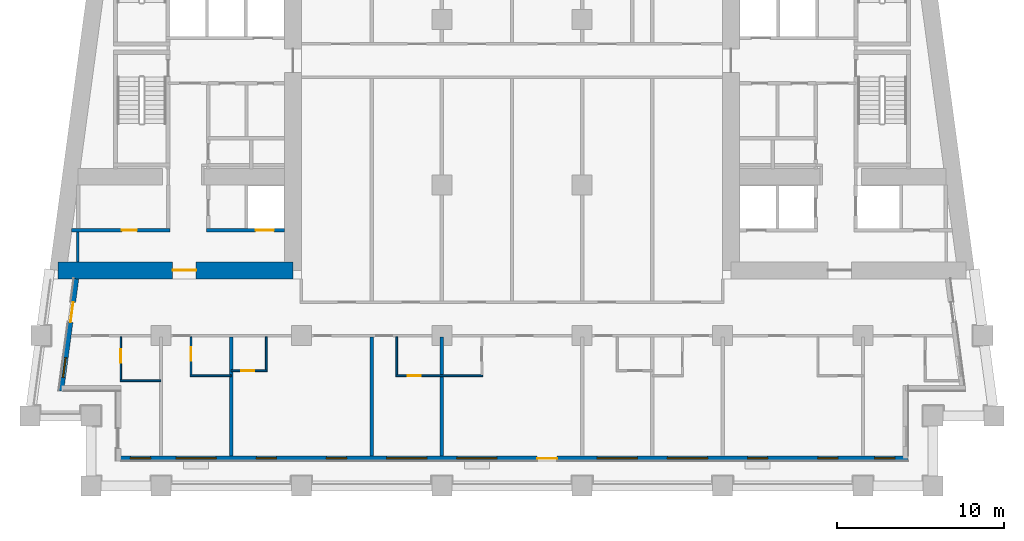
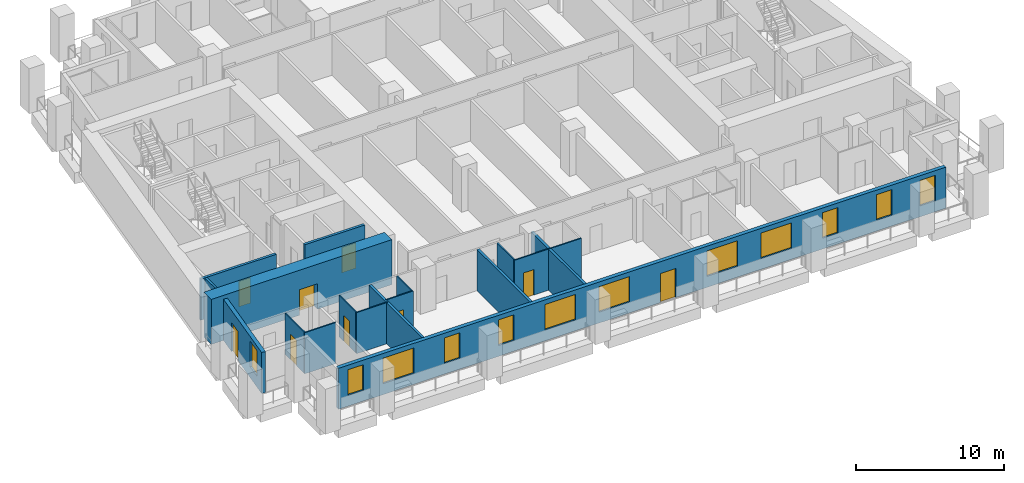
# One storey, part 2 of 13: 17 walls, 12 windows, 9 doors, 21 openings.
"""IFC4 building model written with IfcOpenShell, lengths in metres."""

from ifc_helpers import new_model, si_unit, direction, frame, frame_2d, origin, place, context, subcontext, project, spatial, rectangle, extrude, material, layer, layer_set, type_object, element, fill, save


model = new_model("IFC4")

# Units and contexts
model_context = context("Model", 3, precision=1e-05, world=origin(), true_north=direction((0.0, 1.0)))
body_context = subcontext(model_context, "Body", "Model", "MODEL_VIEW")
ifc_project = project(units=[si_unit("LENGTHUNIT", "METRE"), si_unit("AREAUNIT", "SQUARE_METRE"), si_unit("VOLUMEUNIT", "CUBIC_METRE"), si_unit("PLANEANGLEUNIT", "RADIAN"), si_unit("MASSUNIT", "GRAM", prefix="KILO")], contexts=[model_context])

# Site, building, storey
site_placement = place(None, origin())
site = spatial("IfcSite", under=ifc_project, at=site_placement, CompositionType="ELEMENT")
building_placement = place(site_placement, origin())
building = spatial("IfcBuilding", under=site, at=building_placement, Name="Candeia Pilgrim Tower and Theatre", CompositionType="ELEMENT")
storey_placement = place(building_placement, frame((0.0, 0.0, 98.39990234375)))
storey = spatial("IfcBuildingStorey", under=building, at=storey_placement, Name="L22", CompositionType="ELEMENT", Elevation=98.39990234375)

# Wall, opening, door
ifc_material_1 = material(Name="Concrete C70/85", Category="concrete")
ifc_layer_1 = layer(ifc_material_1, 1.0)
ifc_layer_set_1 = layer_set([ifc_layer_1], Name="Core wall 1000 C70/85")
wall_type_1 = type_object("IfcWallType", Name="Core wall 1000 C70/85", PredefinedType="SHEAR", material=ifc_layer_set_1)
wall_1_placement = place(storey_placement, frame((100.300048828125, 110.89990234375, 0.0), z_axis=(0.0, 0.0, 1.0), x_axis=(-1.0, 0.0, 0.0)))
wall_1 = element("IfcWall", 1, at=wall_1_placement, inside=storey, type_object=wall_type_1, Name="Core wall W3", PredefinedType="SHEAR", context=body_context, shape_type="SweptSolid", body=[
    extrude(rectangle(XDim=14.05908203125, YDim=1.0, at=frame_2d((7.029541015625, 0.0))), origin(), (0.0, 0.0, 1.0), 3.7001953125),
])
opening_1_placement = place(wall_1_placement, frame((5.801513671875, 0.0, 0.0)))
opening_1 = element("IfcOpeningElement", 2, at=opening_1_placement, cuts=wall_1, Name="Opening L22-D059", PredefinedType="OPENING", context=body_context, shape_type="SweptSolid", body=[
    extrude(rectangle(XDim=1.39990234375, YDim=2.10009765625, at=frame_2d((0.699951171875, 1.050048828125))), frame((0.0, 0.510009765625, 0.0), z_axis=(0.0, -1.0, 0.0), x_axis=(1.0, 0.0, 0.0)), (0.0, 0.0, 1.0), 1.02001953125),
])
ifc_material_2 = material(Name="Steel fire door set", Category="steel")
door_type_1 = type_object("IfcDoorType", Name="D-1400-FD60", OperationType="NOTDEFINED", PredefinedType="DOOR", material=ifc_material_2)
door_1_placement = place(opening_1_placement, origin())
door_1 = element("IfcDoor", 3, at=door_1_placement, inside=storey, type_object=door_type_1, Name="Door L22-D059", OperationType="SINGLE_SWING_LEFT", OverallHeight=2.10009765625, OverallWidth=1.39990234375, PredefinedType="DOOR", context=body_context, shape_type="SweptSolid", body=[
    extrude(rectangle(XDim=1.39990234375, YDim=2.10009765625, at=frame_2d((0.699951171875, 1.050048828125))), frame((0.0, 0.02490234375, 0.0), z_axis=(0.0, -1.0, 0.0), x_axis=(1.0, 0.0, 0.0)), (0.0, 0.0, 1.0), 0.050048828125),
])
fill(opening_1, door_1)

# Wall, openings, door, windows
ifc_material_3 = material(Name="Ceramic block masonry", Category="masonry")
ifc_layer_2 = layer(ifc_material_3, 0.300048828125)
ifc_layer_set_2 = layer_set([ifc_layer_2], Name="EW1 glazing-line wall 300")
wall_type_2 = type_object("IfcWallType", Name="EW1 glazing-line wall 300", PredefinedType="SOLIDWALL", material=ifc_layer_set_2)
wall_2_placement = place(storey_placement, frame((89.85009765625, 99.64990234375, 0.0), z_axis=(0.0, 0.0, 1.0), x_axis=(1.0, 0.0, 0.0)))
wall_2 = element("IfcWall", 4, at=wall_2_placement, inside=storey, type_object=wall_type_2, Name="External wall L22-0.0", PredefinedType="SOLIDWALL", context=body_context, shape_type="SweptSolid", body=[
    extrude(rectangle(XDim=47.25, YDim=0.300048828125, at=frame_2d((23.625, 0.0))), origin(), (0.0, 0.0, 1.0), 3.380126953125),
])
opening_2_placement = place(wall_2_placement, frame((0.72509765625, 0.0, 0.89990234375)))
opening_2 = element("IfcOpeningElement", 5, at=opening_2_placement, cuts=wall_2, Name="Opening W-B", PredefinedType="OPENING", context=body_context, shape_type="SweptSolid", body=[
    extrude(rectangle(XDim=1.199951171875, YDim=2.10009765625, at=frame_2d((0.60009765625, 1.050048828125))), frame((0.0, 0.16015625, 0.0), z_axis=(0.0, -1.0, 0.0), x_axis=(1.0, 0.0, 0.0)), (0.0, 0.0, 1.0), 0.320068359375),
])
opening_3_placement = place(wall_2_placement, frame((3.449951171875, 0.0, 0.89990234375)))
opening_3 = element("IfcOpeningElement", 6, at=opening_3_placement, cuts=wall_2, Name="Opening W-A", PredefinedType="OPENING", context=body_context, shape_type="SweptSolid", body=[
    extrude(rectangle(XDim=2.39990234375, YDim=2.10009765625, at=frame_2d((1.199951171875, 1.050048828125))), frame((0.0, 0.16015625, 0.0), z_axis=(0.0, -1.0, 0.0), x_axis=(1.0, 0.0, 0.0)), (0.0, 0.0, 1.0), 0.320068359375),
])
opening_4_placement = place(wall_2_placement, frame((8.25, 0.0, 0.89990234375)))
opening_4 = element("IfcOpeningElement", 7, at=opening_4_placement, cuts=wall_2, Name="Opening W-B", PredefinedType="OPENING", context=body_context, shape_type="SweptSolid", body=[
    extrude(rectangle(XDim=1.199951171875, YDim=2.10009765625, at=frame_2d((0.60009765625, 1.050048828125))), frame((0.0, 0.16015625, 0.0), z_axis=(0.0, -1.0, 0.0), x_axis=(1.0, 0.0, 0.0)), (0.0, 0.0, 1.0), 0.320068359375),
])
opening_5_placement = place(wall_2_placement, frame((12.449951171875, 0.0, 0.89990234375)))
opening_5 = element("IfcOpeningElement", 8, at=opening_5_placement, cuts=wall_2, Name="Opening W-B", PredefinedType="OPENING", context=body_context, shape_type="SweptSolid", body=[
    extrude(rectangle(XDim=1.199951171875, YDim=2.10009765625, at=frame_2d((0.60009765625, 1.050048828125))), frame((0.0, 0.16015625, 0.0), z_axis=(0.0, -1.0, 0.0), x_axis=(1.0, 0.0, 0.0)), (0.0, 0.0, 1.0), 0.320068359375),
])
opening_6_placement = place(wall_2_placement, frame((16.050048828125, 0.0, 0.89990234375)))
opening_6 = element("IfcOpeningElement", 9, at=opening_6_placement, cuts=wall_2, Name="Opening W-A", PredefinedType="OPENING", context=body_context, shape_type="SweptSolid", body=[
    extrude(rectangle(XDim=2.39990234375, YDim=2.10009765625, at=frame_2d((1.199951171875, 1.050048828125))), frame((0.0, 0.16015625, 0.0), z_axis=(0.0, -1.0, 0.0), x_axis=(1.0, 0.0, 0.0)), (0.0, 0.0, 1.0), 0.320068359375),
])
opening_7_placement = place(wall_2_placement, frame((20.25, 0.0, 0.89990234375)))
opening_7 = element("IfcOpeningElement", 10, at=opening_7_placement, cuts=wall_2, Name="Opening W-A", PredefinedType="OPENING", context=body_context, shape_type="SweptSolid", body=[
    extrude(rectangle(XDim=2.39990234375, YDim=2.10009765625, at=frame_2d((1.199951171875, 1.050048828125))), frame((0.0, 0.16015625, 0.0), z_axis=(0.0, -1.0, 0.0), x_axis=(1.0, 0.0, 0.0)), (0.0, 0.0, 1.0), 0.320068359375),
])
opening_8_placement = place(wall_2_placement, frame((25.050048828125, 0.0, 0.0)))
opening_8 = element("IfcOpeningElement", 11, at=opening_8_placement, cuts=wall_2, Name="Opening L22-ED225", PredefinedType="OPENING", context=body_context, shape_type="SweptSolid", body=[
    extrude(rectangle(XDim=1.199951171875, YDim=2.39990234375, at=frame_2d((0.60009765625, 1.199951171875))), frame((0.0, 0.16015625, 0.0), z_axis=(0.0, -1.0, 0.0), x_axis=(1.0, 0.0, 0.0)), (0.0, 0.0, 1.0), 0.320068359375),
])
opening_9_placement = place(wall_2_placement, frame((28.64990234375, 0.0, 0.89990234375)))
opening_9 = element("IfcOpeningElement", 12, at=opening_9_placement, cuts=wall_2, Name="Opening W-A", PredefinedType="OPENING", context=body_context, shape_type="SweptSolid", body=[
    extrude(rectangle(XDim=2.39990234375, YDim=2.10009765625, at=frame_2d((1.199951171875, 1.050048828125))), frame((0.0, 0.16015625, 0.0), z_axis=(0.0, -1.0, 0.0), x_axis=(1.0, 0.0, 0.0)), (0.0, 0.0, 1.0), 0.320068359375),
])
opening_10_placement = place(wall_2_placement, frame((32.85009765625, 0.0, 0.89990234375)))
opening_10 = element("IfcOpeningElement", 13, at=opening_10_placement, cuts=wall_2, Name="Opening W-A", PredefinedType="OPENING", context=body_context, shape_type="SweptSolid", body=[
    extrude(rectangle(XDim=2.39990234375, YDim=2.10009765625, at=frame_2d((1.199951171875, 1.050048828125))), frame((0.0, 0.16015625, 0.0), z_axis=(0.0, -1.0, 0.0), x_axis=(1.0, 0.0, 0.0)), (0.0, 0.0, 1.0), 0.320068359375),
])
opening_11_placement = place(wall_2_placement, frame((37.64990234375, 0.0, 0.89990234375)))
opening_11 = element("IfcOpeningElement", 14, at=opening_11_placement, cuts=wall_2, Name="Opening W-B", PredefinedType="OPENING", context=body_context, shape_type="SweptSolid", body=[
    extrude(rectangle(XDim=1.199951171875, YDim=2.10009765625, at=frame_2d((0.60009765625, 1.050048828125))), frame((0.0, 0.16015625, 0.0), z_axis=(0.0, -1.0, 0.0), x_axis=(1.0, 0.0, 0.0)), (0.0, 0.0, 1.0), 0.320068359375),
])
opening_12_placement = place(wall_2_placement, frame((41.85009765625, 0.0, 0.89990234375)))
opening_12 = element("IfcOpeningElement", 15, at=opening_12_placement, cuts=wall_2, Name="Opening W-B", PredefinedType="OPENING", context=body_context, shape_type="SweptSolid", body=[
    extrude(rectangle(XDim=1.199951171875, YDim=2.10009765625, at=frame_2d((0.60009765625, 1.050048828125))), frame((0.0, 0.16015625, 0.0), z_axis=(0.0, -1.0, 0.0), x_axis=(1.0, 0.0, 0.0)), (0.0, 0.0, 1.0), 0.320068359375),
])
opening_13_placement = place(wall_2_placement, frame((45.25, 0.0, 0.89990234375)))
opening_13 = element("IfcOpeningElement", 16, at=opening_13_placement, cuts=wall_2, Name="Opening W-B", PredefinedType="OPENING", context=body_context, shape_type="SweptSolid", body=[
    extrude(rectangle(XDim=1.199951171875, YDim=2.10009765625, at=frame_2d((0.60009765625, 1.050048828125))), frame((0.0, 0.16015625, 0.0), z_axis=(0.0, -1.0, 0.0), x_axis=(1.0, 0.0, 0.0)), (0.0, 0.0, 1.0), 0.320068359375),
])
ifc_material_4 = material(Name="Aluminium framed glazed door", Category="aluminium")
door_type_2 = type_object("IfcDoorType", Name="Loggia door 1200x2400", OperationType="DOUBLE_DOOR_SINGLE_SWING", PredefinedType="DOOR", material=ifc_material_4)
door_2_placement = place(opening_8_placement, origin())
door_2 = element("IfcDoor", 17, at=door_2_placement, inside=storey, type_object=door_type_2, Name="Loggia door L22-ED225", OperationType="DOUBLE_DOOR_SINGLE_SWING", OverallHeight=2.39990234375, OverallWidth=1.199951171875, PredefinedType="DOOR", context=body_context, shape_type="SweptSolid", body=[
    extrude(rectangle(XDim=1.199951171875, YDim=2.39990234375, at=frame_2d((0.60009765625, 1.199951171875))), frame((0.0, 0.02490234375, 0.0), z_axis=(0.0, -1.0, 0.0), x_axis=(1.0, 0.0, 0.0)), (0.0, 0.0, 1.0), 0.050048828125),
])
fill(opening_8, door_2)
ifc_material_5 = material(Name="Aluminium framed double glazing", Category="aluminium")
window_type_1 = type_object("IfcWindowType", Name="W-A window 2400x2100", PartitioningType="DOUBLE_PANEL_VERTICAL", PredefinedType="WINDOW", material=ifc_material_5)
window_1_placement = place(opening_3_placement, origin())
window_1 = element("IfcWindow", 18, at=window_1_placement, inside=storey, type_object=window_type_1, Name="Window W-A L22", OverallHeight=2.10009765625, OverallWidth=2.39990234375, PartitioningType="SINGLE_PANEL", PredefinedType="WINDOW", context=body_context, shape_type="SweptSolid", body=[
    extrude(rectangle(XDim=2.39990234375, YDim=2.10009765625, at=frame_2d((1.199951171875, 1.050048828125))), frame((0.0, 0.030029296875, 0.0), z_axis=(0.0, -1.0, 0.0), x_axis=(1.0, 0.0, 0.0)), (0.0, 0.0, 1.0), 0.06005859375),
])
fill(opening_3, window_1)
window_2_placement = place(opening_6_placement, origin())
window_2 = element("IfcWindow", 19, at=window_2_placement, inside=storey, type_object=window_type_1, Name="Window W-A L22", OverallHeight=2.10009765625, OverallWidth=2.39990234375, PartitioningType="SINGLE_PANEL", PredefinedType="WINDOW", context=body_context, shape_type="SweptSolid", body=[
    extrude(rectangle(XDim=2.39990234375, YDim=2.10009765625, at=frame_2d((1.199951171875, 1.050048828125))), frame((0.0, 0.030029296875, 0.0), z_axis=(0.0, -1.0, 0.0), x_axis=(1.0, 0.0, 0.0)), (0.0, 0.0, 1.0), 0.06005859375),
])
fill(opening_6, window_2)
window_3_placement = place(opening_7_placement, origin())
window_3 = element("IfcWindow", 20, at=window_3_placement, inside=storey, type_object=window_type_1, Name="Window W-A L22", OverallHeight=2.10009765625, OverallWidth=2.39990234375, PartitioningType="SINGLE_PANEL", PredefinedType="WINDOW", context=body_context, shape_type="SweptSolid", body=[
    extrude(rectangle(XDim=2.39990234375, YDim=2.10009765625, at=frame_2d((1.199951171875, 1.050048828125))), frame((0.0, 0.030029296875, 0.0), z_axis=(0.0, -1.0, 0.0), x_axis=(1.0, 0.0, 0.0)), (0.0, 0.0, 1.0), 0.06005859375),
])
fill(opening_7, window_3)
window_4_placement = place(opening_9_placement, origin())
window_4 = element("IfcWindow", 21, at=window_4_placement, inside=storey, type_object=window_type_1, Name="Window W-A L22", OverallHeight=2.10009765625, OverallWidth=2.39990234375, PartitioningType="SINGLE_PANEL", PredefinedType="WINDOW", context=body_context, shape_type="SweptSolid", body=[
    extrude(rectangle(XDim=2.39990234375, YDim=2.10009765625, at=frame_2d((1.199951171875, 1.050048828125))), frame((0.0, 0.030029296875, 0.0), z_axis=(0.0, -1.0, 0.0), x_axis=(1.0, 0.0, 0.0)), (0.0, 0.0, 1.0), 0.06005859375),
])
fill(opening_9, window_4)
window_5_placement = place(opening_10_placement, origin())
window_5 = element("IfcWindow", 22, at=window_5_placement, inside=storey, type_object=window_type_1, Name="Window W-A L22", OverallHeight=2.10009765625, OverallWidth=2.39990234375, PartitioningType="SINGLE_PANEL", PredefinedType="WINDOW", context=body_context, shape_type="SweptSolid", body=[
    extrude(rectangle(XDim=2.39990234375, YDim=2.10009765625, at=frame_2d((1.199951171875, 1.050048828125))), frame((0.0, 0.030029296875, 0.0), z_axis=(0.0, -1.0, 0.0), x_axis=(1.0, 0.0, 0.0)), (0.0, 0.0, 1.0), 0.06005859375),
])
fill(opening_10, window_5)
window_type_2 = type_object("IfcWindowType", Name="W-B window 1200x2100", PartitioningType="SINGLE_PANEL", PredefinedType="WINDOW", material=ifc_material_5)
window_6_placement = place(opening_2_placement, origin())
window_6 = element("IfcWindow", 23, at=window_6_placement, inside=storey, type_object=window_type_2, Name="Window W-B L22", OverallHeight=2.10009765625, OverallWidth=1.199951171875, PartitioningType="SINGLE_PANEL", PredefinedType="WINDOW", context=body_context, shape_type="SweptSolid", body=[
    extrude(rectangle(XDim=1.199951171875, YDim=2.10009765625, at=frame_2d((0.60009765625, 1.050048828125))), frame((0.0, 0.030029296875, 0.0), z_axis=(0.0, -1.0, 0.0), x_axis=(1.0, 0.0, 0.0)), (0.0, 0.0, 1.0), 0.06005859375),
])
fill(opening_2, window_6)
window_7_placement = place(opening_4_placement, origin())
window_7 = element("IfcWindow", 24, at=window_7_placement, inside=storey, type_object=window_type_2, Name="Window W-B L22", OverallHeight=2.10009765625, OverallWidth=1.199951171875, PartitioningType="SINGLE_PANEL", PredefinedType="WINDOW", context=body_context, shape_type="SweptSolid", body=[
    extrude(rectangle(XDim=1.199951171875, YDim=2.10009765625, at=frame_2d((0.60009765625, 1.050048828125))), frame((0.0, 0.030029296875, 0.0), z_axis=(0.0, -1.0, 0.0), x_axis=(1.0, 0.0, 0.0)), (0.0, 0.0, 1.0), 0.06005859375),
])
fill(opening_4, window_7)
window_8_placement = place(opening_5_placement, origin())
window_8 = element("IfcWindow", 25, at=window_8_placement, inside=storey, type_object=window_type_2, Name="Window W-B L22", OverallHeight=2.10009765625, OverallWidth=1.199951171875, PartitioningType="SINGLE_PANEL", PredefinedType="WINDOW", context=body_context, shape_type="SweptSolid", body=[
    extrude(rectangle(XDim=1.199951171875, YDim=2.10009765625, at=frame_2d((0.60009765625, 1.050048828125))), frame((0.0, 0.030029296875, 0.0), z_axis=(0.0, -1.0, 0.0), x_axis=(1.0, 0.0, 0.0)), (0.0, 0.0, 1.0), 0.06005859375),
])
fill(opening_5, window_8)
window_9_placement = place(opening_11_placement, origin())
window_9 = element("IfcWindow", 26, at=window_9_placement, inside=storey, type_object=window_type_2, Name="Window W-B L22", OverallHeight=2.10009765625, OverallWidth=1.199951171875, PartitioningType="SINGLE_PANEL", PredefinedType="WINDOW", context=body_context, shape_type="SweptSolid", body=[
    extrude(rectangle(XDim=1.199951171875, YDim=2.10009765625, at=frame_2d((0.60009765625, 1.050048828125))), frame((0.0, 0.030029296875, 0.0), z_axis=(0.0, -1.0, 0.0), x_axis=(1.0, 0.0, 0.0)), (0.0, 0.0, 1.0), 0.06005859375),
])
fill(opening_11, window_9)
window_10_placement = place(opening_12_placement, origin())
window_10 = element("IfcWindow", 27, at=window_10_placement, inside=storey, type_object=window_type_2, Name="Window W-B L22", OverallHeight=2.10009765625, OverallWidth=1.199951171875, PartitioningType="SINGLE_PANEL", PredefinedType="WINDOW", context=body_context, shape_type="SweptSolid", body=[
    extrude(rectangle(XDim=1.199951171875, YDim=2.10009765625, at=frame_2d((0.60009765625, 1.050048828125))), frame((0.0, 0.030029296875, 0.0), z_axis=(0.0, -1.0, 0.0), x_axis=(1.0, 0.0, 0.0)), (0.0, 0.0, 1.0), 0.06005859375),
])
fill(opening_12, window_10)
window_11_placement = place(opening_13_placement, origin())
window_11 = element("IfcWindow", 28, at=window_11_placement, inside=storey, type_object=window_type_2, Name="Window W-B L22", OverallHeight=2.10009765625, OverallWidth=1.199951171875, PartitioningType="SINGLE_PANEL", PredefinedType="WINDOW", context=body_context, shape_type="SweptSolid", body=[
    extrude(rectangle(XDim=1.199951171875, YDim=2.10009765625, at=frame_2d((0.60009765625, 1.050048828125))), frame((0.0, 0.030029296875, 0.0), z_axis=(0.0, -1.0, 0.0), x_axis=(1.0, 0.0, 0.0)), (0.0, 0.0, 1.0), 0.06005859375),
])
fill(opening_13, window_11)

# Wall, openings, door, window
wall_3_placement = place(storey_placement, frame((87.334228515625, 110.39990234375, 0.0), z_axis=(0.0, 0.0, 1.0), x_axis=(-0.133437175554, -0.991057273915, 0.0)))
wall_3 = element("IfcWall", 29, at=wall_3_placement, inside=storey, type_object=wall_type_2, Name="External wall L22-9.1", PredefinedType="SOLIDWALL", context=body_context, shape_type="SweptSolid", body=[
    extrude(rectangle(XDim=6.780517578125, YDim=0.300048828125, at=frame_2d((3.39013671875, 0.0))), origin(), (0.0, 0.0, 1.0), 3.380126953125),
])
opening_14_placement = place(wall_3_placement, frame((1.41796875, 0.0, 0.0)))
opening_14 = element("IfcOpeningElement", 30, at=opening_14_placement, cuts=wall_3, Name="Opening L22-ED232", PredefinedType="OPENING", context=body_context, shape_type="SweptSolid", body=[
    extrude(rectangle(XDim=1.199951171875, YDim=2.39990234375, at=frame_2d((0.60009765625, 1.199951171875))), frame((0.0, 0.16015625, 0.0), z_axis=(0.0, -1.0, 0.0), x_axis=(1.0, 0.0, 0.0)), (0.0, 0.0, 1.0), 0.320068359375),
])
opening_15_placement = place(wall_3_placement, frame((4.75830078125, 0.0, 0.89990234375)))
opening_15 = element("IfcOpeningElement", 31, at=opening_15_placement, cuts=wall_3, Name="Opening W-B", PredefinedType="OPENING", context=body_context, shape_type="SweptSolid", body=[
    extrude(rectangle(XDim=1.199951171875, YDim=2.10009765625, at=frame_2d((0.60009765625, 1.050048828125))), frame((0.0, 0.16015625, 0.0), z_axis=(0.0, -1.0, 0.0), x_axis=(1.0, 0.0, 0.0)), (0.0, 0.0, 1.0), 0.320068359375),
])
door_3_placement = place(opening_14_placement, origin())
door_3 = element("IfcDoor", 32, at=door_3_placement, inside=storey, type_object=door_type_2, Name="Loggia door L22-ED232", OperationType="DOUBLE_DOOR_SINGLE_SWING", OverallHeight=2.39990234375, OverallWidth=1.199951171875, PredefinedType="DOOR", context=body_context, shape_type="SweptSolid", body=[
    extrude(rectangle(XDim=1.199951171875, YDim=2.39990234375, at=frame_2d((0.60009765625, 1.199951171875))), frame((0.0, 0.02490234375, 0.0), z_axis=(0.0, -1.0, 0.0), x_axis=(1.0, 0.0, 0.0)), (0.0, 0.0, 1.0), 0.050048828125),
])
fill(opening_14, door_3)
window_12_placement = place(opening_15_placement, origin())
window_12 = element("IfcWindow", 33, at=window_12_placement, inside=storey, type_object=window_type_2, Name="Window W-B L22", OverallHeight=2.10009765625, OverallWidth=1.199951171875, PartitioningType="SINGLE_PANEL", PredefinedType="WINDOW", context=body_context, shape_type="SweptSolid", body=[
    extrude(rectangle(XDim=1.199951171875, YDim=2.10009765625, at=frame_2d((0.60009765625, 1.050048828125))), frame((0.0, 0.030029296875, 0.0), z_axis=(0.0, -1.0, 0.0), x_axis=(1.0, 0.0, 0.0)), (0.0, 0.0, 1.0), 0.06005859375),
])
fill(opening_15, window_12)

# Walls
ifc_material_6 = material(Name="Gypsum board partition on steel studs", Category="steel")
ifc_layer_3 = layer(ifc_material_6, 0.10009765625)
ifc_layer_set_3 = layer_set([ifc_layer_3], Name="PW-100 room partition")
wall_type_3 = type_object("IfcWallType", Name="PW-100 room partition", PredefinedType="PARTITIONING", material=ifc_layer_set_3)
wall_4_placement = place(storey_placement, frame((89.949951171875, 104.300048828125, 0.0), z_axis=(0.0, 0.0, 1.0), x_axis=(1.0, 0.0, 0.0)))
element("IfcWall", 34, at=wall_4_placement, inside=storey, type_object=wall_type_3, Name="Room partition L22-001", PredefinedType="PARTITIONING", context=body_context, shape_type="SweptSolid", body=[
    extrude(rectangle(XDim=2.449951171875, YDim=0.10009765625, at=frame_2d((1.22509765625, 0.0))), origin(), (0.0, 0.0, 1.0), 3.380126953125),
])
wall_5_placement = place(storey_placement, frame((94.14990234375, 104.60009765625, 0.0), z_axis=(0.0, 0.0, 1.0), x_axis=(1.0, 0.0, 0.0)))
element("IfcWall", 35, at=wall_5_placement, inside=storey, type_object=wall_type_3, Name="Room partition L22-003", PredefinedType="PARTITIONING", context=body_context, shape_type="SweptSolid", body=[
    extrude(rectangle(XDim=2.4501953125, YDim=0.10009765625, at=frame_2d((1.22509765625, 0.0))), origin(), (0.0, 0.0, 1.0), 3.380126953125),
])

# Wall, opening, door
wall_6_placement = place(storey_placement, frame((106.449951171875, 104.60009765625, 0.0), z_axis=(0.0, 0.0, 1.0), x_axis=(1.0, 0.0, 0.0)))
wall_6 = element("IfcWall", 36, at=wall_6_placement, inside=storey, type_object=wall_type_3, Name="Room partition L22-004", PredefinedType="PARTITIONING", context=body_context, shape_type="SweptSolid", body=[
    extrude(rectangle(XDim=5.199951171875, YDim=0.10009765625, at=frame_2d((2.60009765625, 0.0))), origin(), (0.0, 0.0, 1.0), 3.380126953125),
])
opening_16_placement = place(wall_6_placement, frame((0.699951171875, 0.0, 0.0)))
opening_16 = element("IfcOpeningElement", 37, at=opening_16_placement, cuts=wall_6, Name="Opening L22-D023", PredefinedType="OPENING", context=body_context, shape_type="SweptSolid", body=[
    extrude(rectangle(XDim=0.800048828125, YDim=2.10009765625, at=frame_2d((0.39990234375, 1.050048828125))), frame((0.0, 0.06005859375, 0.0), z_axis=(0.0, -1.0, 0.0), x_axis=(1.0, 0.0, 0.0)), (0.0, 0.0, 1.0), 0.1201171875),
])
ifc_material_7 = material(Name="Timber door leaf", Category="wood")
door_type_3 = type_object("IfcDoorType", Name="D-800", OperationType="NOTDEFINED", PredefinedType="DOOR", material=ifc_material_7)
door_4_placement = place(opening_16_placement, origin())
door_4 = element("IfcDoor", 38, at=door_4_placement, inside=storey, type_object=door_type_3, Name="Door L22-D023", OperationType="SINGLE_SWING_LEFT", OverallHeight=2.10009765625, OverallWidth=0.800048828125, PredefinedType="DOOR", context=body_context, shape_type="SweptSolid", body=[
    extrude(rectangle(XDim=0.800048828125, YDim=2.10009765625, at=frame_2d((0.39990234375, 1.050048828125))), frame((0.0, 0.02490234375, 0.0), z_axis=(0.0, -1.0, 0.0), x_axis=(1.0, 0.0, 0.0)), (0.0, 0.0, 1.0), 0.050048828125),
])
fill(opening_16, door_4)

wall_7_placement = place(storey_placement, frame((96.60009765625, 104.89990234375, 0.0), z_axis=(0.0, 0.0, 1.0), x_axis=(1.0, 0.0, 0.0)))
wall_7 = element("IfcWall", 39, at=wall_7_placement, inside=storey, type_object=wall_type_3, Name="Room partition L22-007", PredefinedType="PARTITIONING", context=body_context, shape_type="SweptSolid", body=[
    extrude(rectangle(XDim=2.14990234375, YDim=0.10009765625, at=frame_2d((1.074951171875, 0.0))), origin(), (0.0, 0.0, 1.0), 3.380126953125),
])
opening_17_placement = place(wall_7_placement, frame((0.590087890625, 0.0, 0.0)))
opening_17 = element("IfcOpeningElement", 40, at=opening_17_placement, cuts=wall_7, Name="Opening L22-D021", PredefinedType="OPENING", context=body_context, shape_type="SweptSolid", body=[
    extrude(rectangle(XDim=0.800048828125, YDim=2.10009765625, at=frame_2d((0.39990234375, 1.050048828125))), frame((0.0, 0.06005859375, 0.0), z_axis=(0.0, -1.0, 0.0), x_axis=(1.0, 0.0, 0.0)), (0.0, 0.0, 1.0), 0.1201171875),
])
door_5_placement = place(opening_17_placement, origin())
door_5 = element("IfcDoor", 41, at=door_5_placement, inside=storey, type_object=door_type_3, Name="Door L22-D021", OperationType="SINGLE_SWING_LEFT", OverallHeight=2.10009765625, OverallWidth=0.800048828125, PredefinedType="DOOR", context=body_context, shape_type="SweptSolid", body=[
    extrude(rectangle(XDim=0.800048828125, YDim=2.10009765625, at=frame_2d((0.39990234375, 1.050048828125))), frame((0.0, 0.02490234375, 0.0), z_axis=(0.0, -1.0, 0.0), x_axis=(1.0, 0.0, 0.0)), (0.0, 0.0, 1.0), 0.050048828125),
])
fill(opening_17, door_5)

wall_8_placement = place(storey_placement, frame((90.0, 104.35009765625, 0.0), z_axis=(0.0, 0.0, 1.0), x_axis=(0.0, 1.0, 0.0)))
wall_8 = element("IfcWall", 42, at=wall_8_placement, inside=storey, type_object=wall_type_3, Name="Room partition L22-052", PredefinedType="PARTITIONING", context=body_context, shape_type="SweptSolid", body=[
    extrude(rectangle(XDim=2.574951171875, YDim=0.10009765625, at=frame_2d((1.28759765625, 0.0))), origin(), (0.0, 0.0, 1.0), 3.380126953125),
])
opening_18_placement = place(wall_8_placement, frame((1.02001953125, 0.0, 0.0)))
opening_18 = element("IfcOpeningElement", 43, at=opening_18_placement, cuts=wall_8, Name="Opening L22-D017", PredefinedType="OPENING", context=body_context, shape_type="SweptSolid", body=[
    extrude(rectangle(XDim=0.800048828125, YDim=2.10009765625, at=frame_2d((0.39990234375, 1.050048828125))), frame((0.0, 0.06005859375, 0.0), z_axis=(0.0, -1.0, 0.0), x_axis=(1.0, 0.0, 0.0)), (0.0, 0.0, 1.0), 0.1201171875),
])
door_6_placement = place(opening_18_placement, origin())
door_6 = element("IfcDoor", 44, at=door_6_placement, inside=storey, type_object=door_type_3, Name="Door L22-D017", OperationType="SINGLE_SWING_LEFT", OverallHeight=2.10009765625, OverallWidth=0.800048828125, PredefinedType="DOOR", context=body_context, shape_type="SweptSolid", body=[
    extrude(rectangle(XDim=0.800048828125, YDim=2.10009765625, at=frame_2d((0.39990234375, 1.050048828125))), frame((0.0, 0.02490234375, 0.0), z_axis=(0.0, -1.0, 0.0), x_axis=(1.0, 0.0, 0.0)), (0.0, 0.0, 1.0), 0.050048828125),
])
fill(opening_18, door_6)

wall_9_placement = place(storey_placement, frame((94.199951171875, 104.64990234375, 0.0), z_axis=(0.0, 0.0, 1.0), x_axis=(0.0, 1.0, 0.0)))
wall_9 = element("IfcWall", 45, at=wall_9_placement, inside=storey, type_object=wall_type_3, Name="Room partition L22-060", PredefinedType="PARTITIONING", context=body_context, shape_type="SweptSolid", body=[
    extrude(rectangle(XDim=2.275146484375, YDim=0.10009765625, at=frame_2d((1.1376953125, 0.0))), origin(), (0.0, 0.0, 1.0), 3.380126953125),
])
opening_19_placement = place(wall_9_placement, frame((0.840087890625, 0.0, 0.0)))
opening_19 = element("IfcOpeningElement", 46, at=opening_19_placement, cuts=wall_9, Name="Opening L22-D019", PredefinedType="OPENING", context=body_context, shape_type="SweptSolid", body=[
    extrude(rectangle(XDim=0.800048828125, YDim=2.10009765625, at=frame_2d((0.39990234375, 1.050048828125))), frame((0.0, 0.06005859375, 0.0), z_axis=(0.0, -1.0, 0.0), x_axis=(1.0, 0.0, 0.0)), (0.0, 0.0, 1.0), 0.1201171875),
])
door_7_placement = place(opening_19_placement, origin())
door_7 = element("IfcDoor", 47, at=door_7_placement, inside=storey, type_object=door_type_3, Name="Door L22-D019", OperationType="SINGLE_SWING_LEFT", OverallHeight=2.10009765625, OverallWidth=0.800048828125, PredefinedType="DOOR", context=body_context, shape_type="SweptSolid", body=[
    extrude(rectangle(XDim=0.800048828125, YDim=2.10009765625, at=frame_2d((0.39990234375, 1.050048828125))), frame((0.0, 0.02490234375, 0.0), z_axis=(0.0, -1.0, 0.0), x_axis=(1.0, 0.0, 0.0)), (0.0, 0.0, 1.0), 0.050048828125),
])
fill(opening_19, door_7)

# Walls
wall_10_placement = place(storey_placement, frame((98.699951171875, 104.949951171875, 0.0), z_axis=(0.0, 0.0, 1.0), x_axis=(0.0, 1.0, 0.0)))
element("IfcWall", 48, at=wall_10_placement, inside=storey, type_object=wall_type_3, Name="Room partition L22-071", PredefinedType="PARTITIONING", context=body_context, shape_type="SweptSolid", body=[
    extrude(rectangle(XDim=1.97509765625, YDim=0.10009765625, at=frame_2d((0.987548828125, 0.0))), origin(), (0.0, 0.0, 1.0), 3.380126953125),
])
wall_11_placement = place(storey_placement, frame((106.5, 104.64990234375, 0.0), z_axis=(0.0, 0.0, 1.0), x_axis=(0.0, 1.0, 0.0)))
element("IfcWall", 49, at=wall_11_placement, inside=storey, type_object=wall_type_3, Name="Room partition L22-079", PredefinedType="PARTITIONING", context=body_context, shape_type="SweptSolid", body=[
    extrude(rectangle(XDim=2.275146484375, YDim=0.10009765625, at=frame_2d((1.1376953125, 0.0))), origin(), (0.0, 0.0, 1.0), 3.380126953125),
])
ifc_layer_4 = layer(ifc_material_6, 0.14990234375)
ifc_layer_set_4 = layer_set([ifc_layer_4], Name="PW-150 lobby wall")
wall_type_4 = type_object("IfcWallType", Name="PW-150 lobby wall", PredefinedType="PARTITIONING", material=ifc_layer_set_4)
wall_12_placement = place(storey_placement, frame((87.428955078125, 111.39990234375, 0.0), z_axis=(0.0, 0.0, 1.0), x_axis=(0.0, 1.0, 0.0)))
element("IfcWall", 50, at=wall_12_placement, inside=storey, type_object=wall_type_4, Name="Lobby wall L22-049", PredefinedType="PARTITIONING", context=body_context, shape_type="SweptSolid", body=[
    extrude(rectangle(XDim=1.800048828125, YDim=0.14990234375, at=frame_2d((0.89990234375, 0.0))), origin(), (0.0, 0.0, 1.0), 3.380126953125),
])
ifc_layer_5 = layer(ifc_material_6, 0.199951171875)
ifc_layer_set_5 = layer_set([ifc_layer_5], Name="PW-200 party wall")
wall_type_5 = type_object("IfcWallType", Name="PW-200 party wall", PredefinedType="PARTITIONING", material=ifc_layer_set_5)
for number, where, z_axis, x_axis, name in (
    (51, (96.60009765625, 99.7900390625, 0.0), (0.0, 0.0, 1.0), (0.0, 1.0, 0.0), "Party wall L22-065"),
    (52, (105.0, 99.7900390625, 0.0), (0.0, 0.0, 1.0), (0.0, 1.0, 0.0), "Party wall L22-075"),
    (53, (109.199951171875, 99.7900390625, 0.0), (0.0, 0.0, 1.0), (0.0, 1.0, 0.0), "Party wall L22-082"),
):
    element("IfcWall", number, at=place(storey_placement, frame(where, z_axis=z_axis, x_axis=x_axis)), inside=storey, type_object=wall_type_5, Name=name, PredefinedType="PARTITIONING", context=body_context, shape_type="SweptSolid", body=[
        extrude(rectangle(XDim=7.135009765625, YDim=0.199951171875, at=frame_2d((3.5673828125, 0.0))), origin(), (0.0, 0.0, 1.0), 3.380126953125),
    ])

# Wall, opening, door
ifc_material_8 = material(Name="Concrete C40/50", Category="concrete")
ifc_layer_6 = layer(ifc_material_8, 0.199951171875)
ifc_layer_set_6 = layer_set([ifc_layer_6], Name="SW-200 shaft wall")
wall_type_6 = type_object("IfcWallType", Name="SW-200 shaft wall", PredefinedType="PARTITIONING", material=ifc_layer_set_6)
wall_13_placement = place(storey_placement, frame((87.03857421875, 113.300048828125, 0.0), z_axis=(0.0, 0.0, 1.0), x_axis=(1.0, 0.0, 0.0)))
wall_13 = element("IfcWall", 54, at=wall_13_placement, inside=storey, type_object=wall_type_6, Name="Shaft wall L22-011", PredefinedType="PARTITIONING", context=body_context, shape_type="SweptSolid", body=[
    extrude(rectangle(XDim=5.888427734375, YDim=0.199951171875, at=frame_2d((2.9443359375, 0.0))), origin(), (0.0, 0.0, 1.0), 3.380126953125),
])
opening_20_placement = place(wall_13_placement, frame((3.019287109375, 0.0, 0.0)))
opening_20 = element("IfcOpeningElement", 55, at=opening_20_placement, cuts=wall_13, Name="Opening L22-D007", PredefinedType="OPENING", context=body_context, shape_type="SweptSolid", body=[
    extrude(rectangle(XDim=0.89990234375, YDim=2.10009765625, at=frame_2d((0.449951171875, 1.050048828125))), frame((0.0, 0.10986328125, 0.0), z_axis=(0.0, -1.0, 0.0), x_axis=(1.0, 0.0, 0.0)), (0.0, 0.0, 1.0), 0.219970703125),
])
door_type_4 = type_object("IfcDoorType", Name="D-900-FD60", OperationType="NOTDEFINED", PredefinedType="DOOR", material=ifc_material_2)
door_8_placement = place(opening_20_placement, origin())
door_8 = element("IfcDoor", 56, at=door_8_placement, inside=storey, type_object=door_type_4, Name="Door L22-D007", OperationType="SINGLE_SWING_RIGHT", OverallHeight=2.10009765625, OverallWidth=0.89990234375, PredefinedType="DOOR", context=body_context, shape_type="SweptSolid", body=[
    extrude(rectangle(XDim=0.89990234375, YDim=2.10009765625, at=frame_2d((0.449951171875, 1.050048828125))), frame((0.0, 0.02490234375, 0.0), z_axis=(0.0, -1.0, 0.0), x_axis=(1.0, 0.0, 0.0)), (0.0, 0.0, 1.0), 0.050048828125),
])
fill(opening_20, door_8)

wall_14_placement = place(storey_placement, frame((95.126953125, 113.300048828125, 0.0), z_axis=(0.0, 0.0, 1.0), x_axis=(1.0, 0.0, 0.0)))
wall_14 = element("IfcWall", 57, at=wall_14_placement, inside=storey, type_object=wall_type_6, Name="Shaft wall L22-012", PredefinedType="PARTITIONING", context=body_context, shape_type="SweptSolid", body=[
    extrude(rectangle(XDim=4.673095703125, YDim=0.199951171875, at=frame_2d((2.33642578125, 0.0))), origin(), (0.0, 0.0, 1.0), 3.380126953125),
])
opening_21_placement = place(wall_14_placement, frame((2.930908203125, 0.0, 0.0)))
opening_21 = element("IfcOpeningElement", 58, at=opening_21_placement, cuts=wall_14, Name="Opening L22-LD03", PredefinedType="OPENING", context=body_context, shape_type="SweptSolid", body=[
    extrude(rectangle(XDim=1.10009765625, YDim=2.10009765625, at=frame_2d((0.550048828125, 1.050048828125))), frame((0.0, 0.10986328125, 0.0), z_axis=(0.0, -1.0, 0.0), x_axis=(1.0, 0.0, 0.0)), (0.0, 0.0, 1.0), 0.219970703125),
])
ifc_material_9 = material(Name="Glazed aluminium landing door", Category="aluminium")
door_type_5 = type_object("IfcDoorType", Name="LD-1100-EI120", OperationType="SLIDING_TO_LEFT", PredefinedType="DOOR", material=ifc_material_9)
door_9_placement = place(opening_21_placement, origin())
door_9 = element("IfcDoor", 59, at=door_9_placement, inside=storey, type_object=door_type_5, Name="Landing door 03 L22", OperationType="SLIDING_TO_LEFT", OverallHeight=2.10009765625, OverallWidth=1.10009765625, PredefinedType="DOOR", context=body_context, shape_type="SweptSolid", body=[
    extrude(rectangle(XDim=1.10009765625, YDim=2.10009765625, at=frame_2d((0.550048828125, 1.050048828125))), frame((0.0, 0.02490234375, 0.0), z_axis=(0.0, -1.0, 0.0), x_axis=(1.0, 0.0, 0.0)), (0.0, 0.0, 1.0), 0.050048828125),
])
fill(opening_21, door_9)

save(model, "model.ifc")
